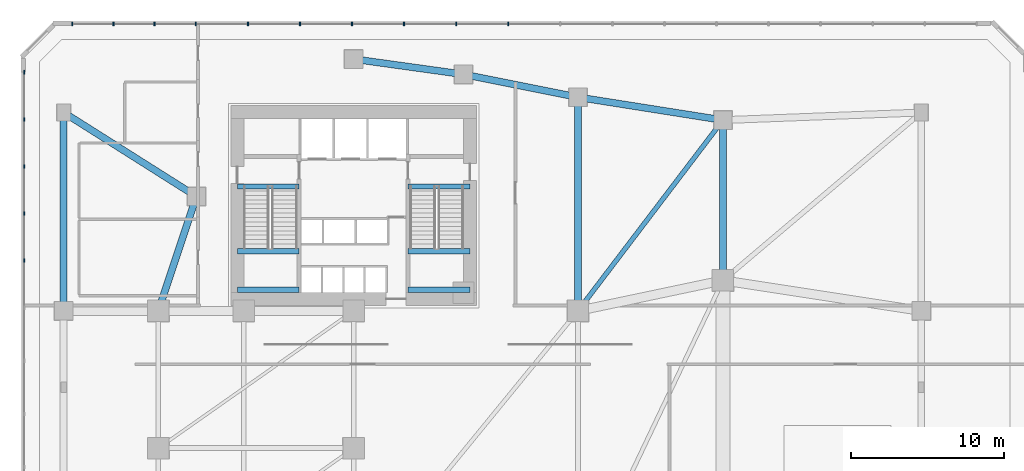
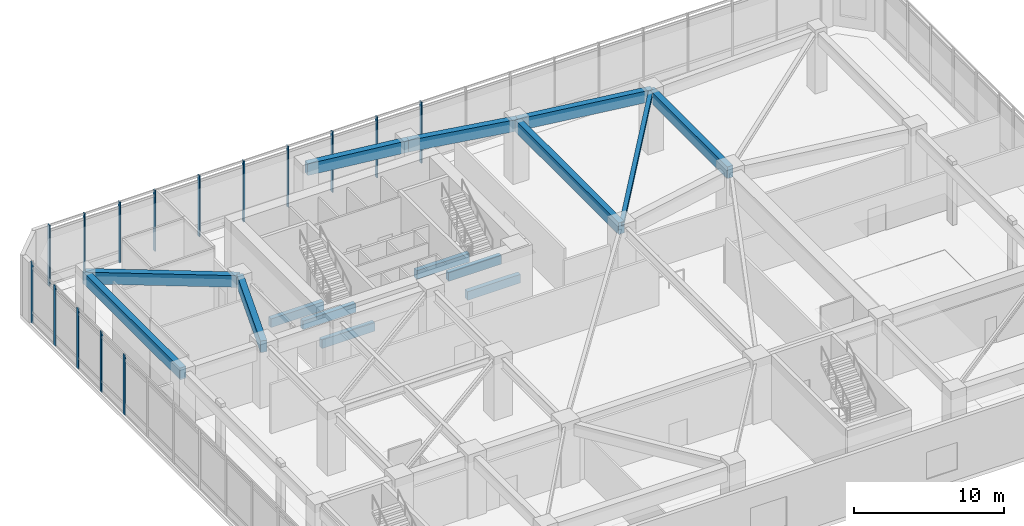
# One storey, part 5 of 16: 15 beams, 15 members, 2 elements without a shape of their own.
"""IFC4 building model written with IfcOpenShell, lengths in metres."""

from ifc_helpers import new_model, si_unit, direction, frame, origin, origin_2d, place, context, subcontext, project, spatial, rectangle, i_section, extrude, source, transform, mapped, material, material_profile, profile_set, type_object, element, aggregate, save


model = new_model("IFC4")

# Units and contexts
model_context = context("Model", 3, precision=1e-05, world=origin(), true_north=direction((0.0, 1.0)))
body_context = subcontext(model_context, "Body", "Model", "MODEL_VIEW")
ifc_project = project(units=[si_unit("LENGTHUNIT", "METRE"), si_unit("AREAUNIT", "SQUARE_METRE"), si_unit("VOLUMEUNIT", "CUBIC_METRE"), si_unit("PLANEANGLEUNIT", "RADIAN"), si_unit("MASSUNIT", "GRAM", prefix="KILO")], contexts=[model_context])

# Site, building, storey
site_placement = place(None, origin())
site = spatial("IfcSite", under=ifc_project, at=site_placement, CompositionType="ELEMENT")
building_placement = place(site_placement, origin())
building = spatial("IfcBuilding", under=site, at=building_placement, Name="Calvemar Wedge Station Tower", CompositionType="ELEMENT")
storey_placement = place(building_placement, frame((0.0, 0.0, 6.0)))
storey = spatial("IfcBuildingStorey", under=building, at=storey_placement, Name="L02", CompositionType="ELEMENT", Elevation=6.0)

# Beams
ifc_material_1 = material(Name="Concrete C70", Category="concrete")
ifc_material_profile_1 = material_profile(ifc_material_1, rectangle(XDim=0.35009765625, YDim=0.699951171875, at=origin_2d()), Name="RC350x700")
ifc_profile_set_1 = profile_set([ifc_material_profile_1], Name="Concrete C70")
beam_type_1 = type_object("IfcBeamType", Name="BM-LN1-700", PredefinedType="LINTEL", material=ifc_profile_set_1)
shared_shape_1 = source(origin(), body_context, "Body", "SweptSolid", [
    extrude(rectangle(XDim=0.35009765625, YDim=0.699951171875, at=origin_2d()), origin(), (0.0, 0.0, 1.0), 4.054931640625),
])
for number, where, z_axis, x_axis, name in (
    (1, (16.175048828125, 41.14990234375, -0.35009765625), (1.0, 0.0, 0.0), (0.0, 1.0, 0.0), "Storey L02 Stair ST-C1 Landing Trimmer Beam"),
    (2, (27.3701171875, 41.14990234375, -0.35009765625), (1.0, 0.0, 0.0), (0.0, 1.0, 0.0), "Storey L02 Stair ST-C2 Landing Trimmer Beam"),
    (3, (16.175048828125, 34.3798828125, 2.050048828125), (1.0, 0.0, 0.0), (0.0, 1.0, 0.0), "Storey L02 Stair ST-C1 Half-Landing Beam 1A"),
    (4, (16.175048828125, 36.909912109375, 2.050048828125), (1.0, 0.0, 0.0), (0.0, 1.0, 0.0), "Storey L02 Stair ST-C1 Half-Landing Beam 1B"),
    (5, (27.3701171875, 34.3798828125, 2.050048828125), (1.0, 0.0, 0.0), (0.0, 1.0, 0.0), "Storey L02 Stair ST-C2 Half-Landing Beam 1A"),
    (6, (27.3701171875, 36.909912109375, 2.050048828125), (1.0, 0.0, 0.0), (0.0, 1.0, 0.0), "Storey L02 Stair ST-C2 Half-Landing Beam 1B"),
):
    element("IfcBeam", number, at=place(storey_placement, frame(where, z_axis=z_axis, x_axis=x_axis)), inside=storey, type_object=beam_type_1, Name=name, PredefinedType="LINTEL", context=body_context, shape_type="MappedRepresentation", body=[
        mapped(shared_shape_1, transform((0.0, 0.0, 0.0), scale=1.0)),
    ])
ifc_material_2 = material(Name="Concrete C50", Category="concrete")
ifc_material_profile_2 = material_profile(ifc_material_2, rectangle(XDim=0.449951171875, YDim=0.949951171875, at=origin_2d()), Name="RC450x950")
ifc_profile_set_2 = profile_set([ifc_material_profile_2], Name="Concrete C50")
beam_type_2 = type_object("IfcBeamType", Name="BM-G2-950", PredefinedType="BEAM", material=ifc_profile_set_2)
shared_shape_2 = source(origin(), body_context, "Body", "SweptSolid", [
    extrude(rectangle(XDim=0.449951171875, YDim=0.949951171875, at=origin_2d()), origin(), (0.0, 0.0, 1.0), 13.0),
])
beam_1_placement = place(storey_placement, frame((4.800048828125, 33.0, 4.425048828125), z_axis=(0.0, 1.0, 0.0), x_axis=(-1.0, 0.0, 0.0)))
element("IfcBeam", 7, at=beam_1_placement, inside=storey, type_object=beam_type_2, Name="Storey L02 Primary Girder G33", PredefinedType="BEAM", context=body_context, shape_type="MappedRepresentation", body=[
    mapped(shared_shape_2, transform((0.0, 0.0, 0.0), scale=1.0)),
])
shared_shape_3 = source(origin(), body_context, "Body", "SweptSolid", [
    extrude(rectangle(XDim=0.449951171875, YDim=0.949951171875, at=origin_2d()), origin(), (0.0, 0.0, 1.0), 7.90576171875),
])
beam_2_placement = place(storey_placement, frame((11.0, 33.0, 4.425048828125), z_axis=(0.316227766017, 0.948683298051, 0.0), x_axis=(-0.948683298051, 0.316227766017, 0.0)))
element("IfcBeam", 8, at=beam_2_placement, inside=storey, type_object=beam_type_2, Name="Storey L02 Primary Girder G34", PredefinedType="BEAM", context=body_context, shape_type="MappedRepresentation", body=[
    mapped(shared_shape_3, transform((0.0, 0.0, 0.0), scale=1.0)),
])
shared_shape_4 = source(origin(), body_context, "Body", "SweptSolid", [
    extrude(rectangle(XDim=0.449951171875, YDim=0.949951171875, at=origin_2d()), origin(), (0.0, 0.0, 1.0), 14.0),
])
beam_3_placement = place(storey_placement, frame((38.5, 33.0, 4.425048828125), z_axis=(0.0, 1.0, 0.0), x_axis=(-1.0, 0.0, 0.0)))
element("IfcBeam", 9, at=beam_3_placement, inside=storey, type_object=beam_type_2, Name="Storey L02 Primary Girder G35", PredefinedType="BEAM", context=body_context, shape_type="MappedRepresentation", body=[
    mapped(shared_shape_4, transform((0.0, 0.0, 0.0), scale=1.0)),
])
shared_shape_5 = source(origin(), body_context, "Body", "SweptSolid", [
    extrude(rectangle(XDim=0.449951171875, YDim=0.949951171875, at=origin_2d()), origin(), (0.0, 0.0, 1.0), 10.5),
])
beam_4_placement = place(storey_placement, frame((48.0, 35.0, 4.425048828125), z_axis=(0.0, 1.0, 0.0), x_axis=(-1.0, 0.0, 0.0)))
element("IfcBeam", 10, at=beam_4_placement, inside=storey, type_object=beam_type_2, Name="Storey L02 Primary Girder G36", PredefinedType="BEAM", context=body_context, shape_type="MappedRepresentation", body=[
    mapped(shared_shape_5, transform((0.0, 0.0, 0.0), scale=1.0)),
])
shared_shape_6 = source(origin(), body_context, "Body", "SweptSolid", [
    extrude(rectangle(XDim=0.449951171875, YDim=0.949951171875, at=origin_2d()), origin(), (0.0, 0.0, 1.0), 10.292724609375),
])
beam_5_placement = place(storey_placement, frame((4.800048828125, 46.0, 4.425048828125), z_axis=(0.845256603473, -0.534360621946, 0.0), x_axis=(0.534360621946, 0.845256603473, 0.0)))
element("IfcBeam", 11, at=beam_5_placement, inside=storey, type_object=beam_type_2, Name="Storey L02 Primary Girder G38", PredefinedType="BEAM", context=body_context, shape_type="MappedRepresentation", body=[
    mapped(shared_shape_6, transform((0.0, 0.0, 0.0), scale=1.0)),
])
shared_shape_7 = source(origin(), body_context, "Body", "SweptSolid", [
    extrude(rectangle(XDim=0.449951171875, YDim=0.949951171875, at=origin_2d()), origin(), (0.0, 0.0, 1.0), 7.26904296875),
])
beam_6_placement = place(storey_placement, frame((23.800048828125, 49.5, 4.425048828125), z_axis=(0.990492146053, -0.13756928657, 0.0), x_axis=(0.13756928657, 0.990492146053, 0.0)))
element("IfcBeam", 12, at=beam_6_placement, inside=storey, type_object=beam_type_2, Name="Storey L02 Primary Girder G39", PredefinedType="BEAM", context=body_context, shape_type="MappedRepresentation", body=[
    mapped(shared_shape_7, transform((0.0, 0.0, 0.0), scale=1.0)),
])
shared_shape_8 = source(origin(), body_context, "Body", "SweptSolid", [
    extrude(rectangle(XDim=0.449951171875, YDim=0.949951171875, at=origin_2d()), origin(), (0.0, 0.0, 1.0), 7.6484375),
])
beam_7_placement = place(storey_placement, frame((31.0, 48.5, 4.425048828125), z_axis=(0.980580675691, -0.196116135138, 0.0), x_axis=(0.196116135138, 0.980580675691, 0.0)))
element("IfcBeam", 13, at=beam_7_placement, inside=storey, type_object=beam_type_2, Name="Storey L02 Primary Girder G40", PredefinedType="BEAM", context=body_context, shape_type="MappedRepresentation", body=[
    mapped(shared_shape_8, transform((0.0, 0.0, 0.0), scale=1.0)),
])
shared_shape_9 = source(origin(), body_context, "Body", "SweptSolid", [
    extrude(rectangle(XDim=0.449951171875, YDim=0.949951171875, at=origin_2d()), origin(), (0.0, 0.0, 1.0), 9.61767578125),
])
beam_8_placement = place(storey_placement, frame((38.5, 47.0, 4.425048828125), z_axis=(0.987762965329, -0.155962573473, 0.0), x_axis=(0.155962573473, 0.987762965329, 0.0)))
element("IfcBeam", 14, at=beam_8_placement, inside=storey, type_object=beam_type_2, Name="Storey L02 Primary Girder G41", PredefinedType="BEAM", context=body_context, shape_type="MappedRepresentation", body=[
    mapped(shared_shape_9, transform((0.0, 0.0, 0.0), scale=1.0)),
])
ifc_material_3 = material(Name="Structural steel ASTM A572 Grade 50", Category="steel")
ifc_material_profile_3 = material_profile(ifc_material_3, i_section(OverallWidth=0.30908203125, OverallDepth=0.322998046875, WebThickness=0.013916015625, FlangeThickness=0.02294921875, FilletRadius=0.014892578125, at=origin_2d()), Name="W310x143")
ifc_profile_set_3 = profile_set([ifc_material_profile_3], Name="Structural steel ASTM A572 Grade 50")
beam_type_3 = type_object("IfcBeamType", Name="BM-J5-W310H", PredefinedType="JOIST", material=ifc_profile_set_3)
shared_shape_10 = source(origin(), body_context, "Body", "SweptSolid", [
    extrude(i_section(OverallWidth=0.30908203125, OverallDepth=0.322998046875, WebThickness=0.013916015625, FlangeThickness=0.02294921875, FilletRadius=0.014892578125, at=origin_2d()), origin(), (0.0, 0.0, 1.0), 15.700439453125),
])
beam_9_placement = place(storey_placement, frame((38.5, 33.0, 4.738525390625), z_axis=(0.605083267534, 0.796162194123, 0.0), x_axis=(-0.796162194123, 0.605083267534, 0.0)))
element("IfcBeam", 15, at=beam_9_placement, inside=storey, type_object=beam_type_3, Name="Storey L02 Concourse Cross Joist 11", PredefinedType="JOIST", context=body_context, shape_type="MappedRepresentation", body=[
    mapped(shared_shape_10, transform((0.0, 0.0, 0.0), scale=1.0)),
])

# Curtain wall, members
ifc_material_4 = material(Name="Anodised aluminium 6063-T6", Category="aluminium")
curtain_wall_type = type_object("IfcCurtainWallType", Name="CW5", PredefinedType="NOTDEFINED", material=ifc_material_4)
curtain_wall_1_placement = place(storey_placement, origin())
curtain_wall_1 = element("IfcCurtainWall", 16, at=curtain_wall_1_placement, inside=storey, type_object=curtain_wall_type, Name="Storey L02 CW5 Recessed Unitised Curtain Wall 4", PredefinedType="NOTDEFINED")
ifc_material_profile_4 = material_profile(ifc_material_4, rectangle(XDim=0.0849609375, YDim=0.239990234375, at=origin_2d()), Name="AL-MUL-85x240")
ifc_profile_set_4 = profile_set([ifc_material_profile_4], Name="Anodised aluminium 6063-T6")
member_type = type_object("IfcMemberType", Name="CW5-MUL", PredefinedType="MULLION", material=ifc_profile_set_4)
shared_shape_11 = source(origin(), body_context, "Body", "SweptSolid", [
    extrude(rectangle(XDim=0.0849609375, YDim=0.239990234375, at=origin_2d()), origin(), (0.0, 0.0, 1.0), 4.949951171875),
])
member_1_placement = place(storey_placement, frame((33.93115234375, 51.7900390625, -0.050048828125), z_axis=(0.0, 0.0, 1.0), x_axis=(1.0, 0.0, 0.0)))
member_1 = element("IfcMember", 17, at=member_1_placement, type_object=member_type, Name="CW5 mullion 10", PredefinedType="MULLION", context=body_context, shape_type="MappedRepresentation", body=[
    mapped(shared_shape_11, transform((0.0, 0.0, 0.0), scale=1.0)),
])
member_2_placement = place(storey_placement, frame((30.519287109375, 51.7900390625, -0.050048828125), z_axis=(0.0, 0.0, 1.0), x_axis=(1.0, 0.0, 0.0)))
member_2 = element("IfcMember", 18, at=member_2_placement, type_object=member_type, Name="CW5 mullion 11", PredefinedType="MULLION", context=body_context, shape_type="MappedRepresentation", body=[
    mapped(shared_shape_11, transform((0.0, 0.0, 0.0), scale=1.0)),
])
member_3_placement = place(storey_placement, frame((27.107421875, 51.7900390625, -0.050048828125), z_axis=(0.0, 0.0, 1.0), x_axis=(1.0, 0.0, 0.0)))
member_3 = element("IfcMember", 19, at=member_3_placement, type_object=member_type, Name="CW5 mullion 12", PredefinedType="MULLION", context=body_context, shape_type="MappedRepresentation", body=[
    mapped(shared_shape_11, transform((0.0, 0.0, 0.0), scale=1.0)),
])
member_4_placement = place(storey_placement, frame((23.695556640625, 51.7900390625, -0.050048828125), z_axis=(0.0, 0.0, 1.0), x_axis=(1.0, 0.0, 0.0)))
member_4 = element("IfcMember", 20, at=member_4_placement, type_object=member_type, Name="CW5 mullion 13", PredefinedType="MULLION", context=body_context, shape_type="MappedRepresentation", body=[
    mapped(shared_shape_11, transform((0.0, 0.0, 0.0), scale=1.0)),
])
member_5_placement = place(storey_placement, frame((20.28369140625, 51.7900390625, -0.050048828125), z_axis=(0.0, 0.0, 1.0), x_axis=(1.0, 0.0, 0.0)))
member_5 = element("IfcMember", 21, at=member_5_placement, type_object=member_type, Name="CW5 mullion 14", PredefinedType="MULLION", context=body_context, shape_type="MappedRepresentation", body=[
    mapped(shared_shape_11, transform((0.0, 0.0, 0.0), scale=1.0)),
])
member_6_placement = place(storey_placement, frame((16.871826171875, 51.7900390625, -0.050048828125), z_axis=(0.0, 0.0, 1.0), x_axis=(1.0, 0.0, 0.0)))
member_6 = element("IfcMember", 22, at=member_6_placement, type_object=member_type, Name="CW5 mullion 15", PredefinedType="MULLION", context=body_context, shape_type="MappedRepresentation", body=[
    mapped(shared_shape_11, transform((0.0, 0.0, 0.0), scale=1.0)),
])
member_7_placement = place(storey_placement, frame((13.4599609375, 51.7900390625, -0.050048828125), z_axis=(0.0, 0.0, 1.0), x_axis=(1.0, 0.0, 0.0)))
member_7 = element("IfcMember", 23, at=member_7_placement, type_object=member_type, Name="CW5 mullion 16", PredefinedType="MULLION", context=body_context, shape_type="MappedRepresentation", body=[
    mapped(shared_shape_11, transform((0.0, 0.0, 0.0), scale=1.0)),
])
member_8_placement = place(storey_placement, frame((10.7607421875, 51.7900390625, -0.050048828125), z_axis=(0.0, 0.0, 1.0), x_axis=(1.0, 0.0, 0.0)))
member_8 = element("IfcMember", 24, at=member_8_placement, type_object=member_type, Name="CW5 mullion 17", PredefinedType="MULLION", context=body_context, shape_type="MappedRepresentation", body=[
    mapped(shared_shape_11, transform((0.0, 0.0, 0.0), scale=1.0)),
])
member_9_placement = place(storey_placement, frame((8.061279296875, 51.7900390625, -0.050048828125), z_axis=(0.0, 0.0, 1.0), x_axis=(1.0, 0.0, 0.0)))
member_9 = element("IfcMember", 25, at=member_9_placement, type_object=member_type, Name="CW5 mullion 18", PredefinedType="MULLION", context=body_context, shape_type="MappedRepresentation", body=[
    mapped(shared_shape_11, transform((0.0, 0.0, 0.0), scale=1.0)),
])
member_10_placement = place(storey_placement, frame((5.362060546875, 51.7900390625, -0.050048828125), z_axis=(0.0, 0.0, 1.0), x_axis=(1.0, 0.0, 0.0)))
member_10 = element("IfcMember", 26, at=member_10_placement, type_object=member_type, Name="CW5 mullion 19", PredefinedType="MULLION", context=body_context, shape_type="MappedRepresentation", body=[
    mapped(shared_shape_11, transform((0.0, 0.0, 0.0), scale=1.0)),
])
aggregate(curtain_wall_1, [member_1, member_2, member_3, member_4, member_5, member_6, member_7, member_8, member_9, member_10])

curtain_wall_2_placement = place(storey_placement, origin())
curtain_wall_2 = element("IfcCurtainWall", 27, at=curtain_wall_2_placement, inside=storey, type_object=curtain_wall_type, Name="Storey L02 CW5 Recessed Unitised Curtain Wall 6", PredefinedType="NOTDEFINED")
member_11_placement = place(storey_placement, frame((2.2099609375, 48.637939453125, -0.050048828125), z_axis=(0.0, 0.0, 1.0), x_axis=(1.0, 0.0, 0.0)))
member_11 = element("IfcMember", 28, at=member_11_placement, type_object=member_type, Name="CW5 mullion 1", PredefinedType="MULLION", context=body_context, shape_type="MappedRepresentation", body=[
    mapped(shared_shape_11, transform((0.0, 0.0, 0.0), scale=1.0)),
])
member_12_placement = place(storey_placement, frame((2.2099609375, 45.55224609375, -0.050048828125), z_axis=(0.0, 0.0, 1.0), x_axis=(1.0, 0.0, 0.0)))
member_12 = element("IfcMember", 29, at=member_12_placement, type_object=member_type, Name="CW5 mullion 2", PredefinedType="MULLION", context=body_context, shape_type="MappedRepresentation", body=[
    mapped(shared_shape_11, transform((0.0, 0.0, 0.0), scale=1.0)),
])
member_13_placement = place(storey_placement, frame((2.2099609375, 42.466796875, -0.050048828125), z_axis=(0.0, 0.0, 1.0), x_axis=(1.0, 0.0, 0.0)))
member_13 = element("IfcMember", 30, at=member_13_placement, type_object=member_type, Name="CW5 mullion 3", PredefinedType="MULLION", context=body_context, shape_type="MappedRepresentation", body=[
    mapped(shared_shape_11, transform((0.0, 0.0, 0.0), scale=1.0)),
])
member_14_placement = place(storey_placement, frame((2.2099609375, 39.381103515625, -0.050048828125), z_axis=(0.0, 0.0, 1.0), x_axis=(1.0, 0.0, 0.0)))
member_14 = element("IfcMember", 31, at=member_14_placement, type_object=member_type, Name="CW5 mullion 4", PredefinedType="MULLION", context=body_context, shape_type="MappedRepresentation", body=[
    mapped(shared_shape_11, transform((0.0, 0.0, 0.0), scale=1.0)),
])
member_15_placement = place(storey_placement, frame((2.2099609375, 36.295654296875, -0.050048828125), z_axis=(0.0, 0.0, 1.0), x_axis=(1.0, 0.0, 0.0)))
member_15 = element("IfcMember", 32, at=member_15_placement, type_object=member_type, Name="CW5 mullion 5", PredefinedType="MULLION", context=body_context, shape_type="MappedRepresentation", body=[
    mapped(shared_shape_11, transform((0.0, 0.0, 0.0), scale=1.0)),
])
aggregate(curtain_wall_2, [member_11, member_12, member_13, member_14, member_15])

save(model, "model.ifc")
